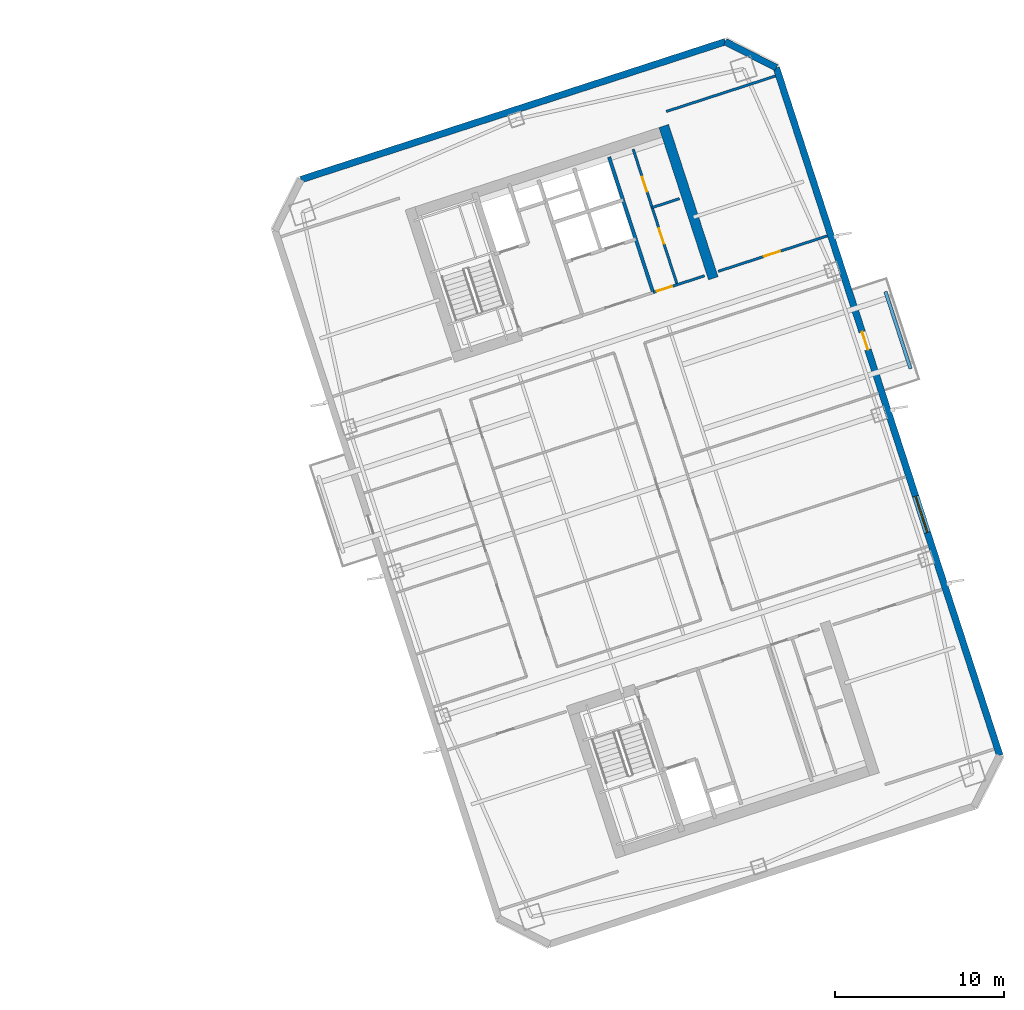
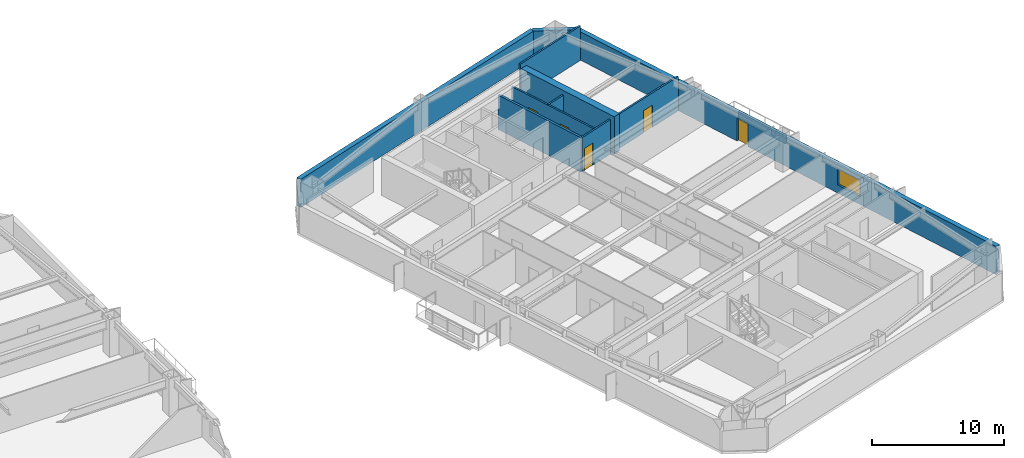
# One storey, part 10 of 17: 11 walls, 5 doors, 1 window, 6 openings.
"""IFC4 building model written with IfcOpenShell, lengths in metres."""

from ifc_helpers import new_model, si_unit, direction, frame, frame_2d, origin, place, context, subcontext, project, spatial, rectangle, extrude, material, layer, layer_set, type_object, element, fill, save


model = new_model("IFC4")

# Units and contexts
model_context = context("Model", 3, precision=1e-05, world=origin(), true_north=direction((0.0, 1.0)))
body_context = subcontext(model_context, "Body", "Model", "MODEL_VIEW")
ifc_project = project(units=[si_unit("LENGTHUNIT", "METRE"), si_unit("AREAUNIT", "SQUARE_METRE"), si_unit("VOLUMEUNIT", "CUBIC_METRE"), si_unit("PLANEANGLEUNIT", "RADIAN"), si_unit("MASSUNIT", "GRAM", prefix="KILO")], contexts=[model_context])

# Site, building, storey
site_placement = place(None, origin())
site = spatial("IfcSite", under=ifc_project, at=site_placement, CompositionType="ELEMENT")
building_placement = place(site_placement, origin())
building = spatial("IfcBuilding", under=site, at=building_placement, Name="Qiaolan Cultural Towers", CompositionType="ELEMENT")
storey_placement = place(building_placement, frame((0.0, 0.0, 142.60009765625)))
storey = spatial("IfcBuildingStorey", under=building, at=storey_placement, Name="L37", CompositionType="ELEMENT", Elevation=142.60009765625)

# Walls
ifc_material_1 = material(Name="Concrete C55", Category="concrete")
ifc_layer_1 = layer(ifc_material_1, 0.60009765625)
ifc_layer_set_1 = layer_set([ifc_layer_1], Name="Concrete C55")
wall_type_1 = type_object("IfcWallType", Name="WL-CORE-600", PredefinedType="SHEAR", material=ifc_layer_set_1)
wall_1_placement = place(storey_placement, frame((94.4921875, 46.710205078125, 0.0), z_axis=(0.0, 0.0, 1.0), x_axis=(-0.309010370028, 0.95105866865, 0.0)))
element("IfcWall", 1, at=wall_1_placement, inside=storey, type_object=wall_type_1, Name="L37 T2-CN East Core Shear Wall", PredefinedType="SHEAR", context=body_context, shape_type="SweptSolid", body=[
    extrude(rectangle(XDim=9.47998046875, YDim=0.60009765625, at=frame_2d((4.739990234375, 0.0))), origin(), (0.0, 0.0, 1.0), 3.449951171875),
])
ifc_material_2 = material(Name="Precast Concrete C50 Honed Stone Pier", Category="masonry")
ifc_layer_2 = layer(ifc_material_2, 0.39990234375)
ifc_layer_set_2 = layer_set([ifc_layer_2], Name="Precast Concrete C50 Honed Stone Pier")
wall_type_2 = type_object("IfcWallType", Name="WL-EXT-PIER-400", PredefinedType="SOLIDWALL", material=ifc_layer_set_2)
wall_2_placement = place(storey_placement, frame((70.091552734375, 52.55615234375, 0.0), z_axis=(0.0, 0.0, 1.0), x_axis=(0.951057580055, 0.30901372044, 0.0)))
element("IfcWall", 2, at=wall_2_placement, inside=storey, type_object=wall_type_2, Name="L37 East Tower Precast Pier Facade Wall F3", PredefinedType="SOLIDWALL", context=body_context, shape_type="SweptSolid", body=[
    extrude(rectangle(XDim=26.39990234375, YDim=0.39990234375, at=frame_2d((13.199951171875, 0.0))), origin(), (0.0, 0.0, 1.0), 2.60986328125),
])
wall_3_placement = place(storey_placement, frame((95.199462890625, 60.714111328125, 0.0), z_axis=(0.0, 0.0, 1.0), x_axis=(0.891020832027, -0.453962417932, 0.0)))
element("IfcWall", 3, at=wall_3_placement, inside=storey, type_object=wall_type_2, Name="L37 East Tower Precast Pier Facade Wall F4", PredefinedType="SOLIDWALL", context=body_context, shape_type="SweptSolid", body=[
    extrude(rectangle(XDim=3.39404296875, YDim=0.39990234375, at=frame_2d((1.697021484375, 0.0))), origin(), (0.0, 0.0, 1.0), 2.60986328125),
])

# Wall, openings, door, window
wall_4_placement = place(storey_placement, frame((98.2236328125, 59.17333984375, 0.0), z_axis=(0.0, 0.0, 1.0), x_axis=(0.309014228706, -0.951057414911, 0.0)))
wall_4 = element("IfcWall", 4, at=wall_4_placement, inside=storey, type_object=wall_type_2, Name="L37 East Tower Precast Pier Facade Wall F5", PredefinedType="SOLIDWALL", context=body_context, shape_type="SweptSolid", body=[
    extrude(rectangle(XDim=42.800048828125, YDim=0.39990234375, at=frame_2d((21.39990234375, 0.0))), origin(), (0.0, 0.0, 1.0), 2.60986328125),
])
opening_1_placement = place(wall_4_placement, frame((26.675048828125, 0.0, 0.75)))
opening_1 = element("IfcOpeningElement", 5, at=opening_1_placement, cuts=wall_4, Name="Opening W-03", PredefinedType="OPENING", context=body_context, shape_type="SweptSolid", body=[
    extrude(rectangle(XDim=2.25, YDim=1.4599609375, at=frame_2d((1.125, 0.72998046875))), frame((0.0, 0.2099609375, 0.0), z_axis=(0.0, -1.0, 0.0), x_axis=(1.0, 0.0, 0.0)), (0.0, 0.0, 1.0), 0.419921875),
])
opening_2_placement = place(wall_4_placement, frame((16.449951171875, 0.0, 0.0)))
opening_2 = element("IfcOpeningElement", 6, at=opening_2_placement, cuts=wall_4, Name="Opening BD-01", PredefinedType="OPENING", context=body_context, shape_type="SweptSolid", body=[
    extrude(rectangle(XDim=1.10009765625, YDim=2.14990234375, at=frame_2d((0.550048828125, 1.074951171875))), frame((0.0, 0.2099609375, 0.0), z_axis=(0.0, -1.0, 0.0), x_axis=(1.0, 0.0, 0.0)), (0.0, 0.0, 1.0), 0.419921875),
])
ifc_material_3 = material(Name="Thermally Broken Aluminium Glazed Terrace Door", Category="aluminium")
door_type_1 = type_object("IfcDoorType", Name="DR-BAL-1100", OperationType="NOTDEFINED", PredefinedType="DOOR", material=ifc_material_3)
door_1_placement = place(opening_2_placement, origin())
door_1 = element("IfcDoor", 7, at=door_1_placement, inside=storey, type_object=door_type_1, Name="L37 T2 East Tree Balcony Door", OperationType="SINGLE_SWING_RIGHT", OverallHeight=2.14990234375, OverallWidth=1.10009765625, PredefinedType="DOOR", context=body_context, shape_type="SweptSolid", body=[
    extrude(rectangle(XDim=1.10009765625, YDim=2.14990234375, at=frame_2d((0.550048828125, 1.074951171875))), frame((0.0, 0.02490234375, 0.0), z_axis=(0.0, -1.0, 0.0), x_axis=(1.0, 0.0, 0.0)), (0.0, 0.0, 1.0), 0.050048828125),
])
fill(opening_2, door_1)
ifc_material_4 = material(Name="Thermally Broken Aluminium Triple Low-E Glazing", Category="aluminium")
window_type = type_object("IfcWindowType", Name="WN-CHIC-2250", PartitioningType="SINGLE_PANEL", PredefinedType="WINDOW", material=ifc_material_4)
window_placement = place(opening_1_placement, origin())
window = element("IfcWindow", 8, at=window_placement, inside=storey, type_object=window_type, Name="L37 T2 E Chicago Bay Window 1", OverallHeight=1.4599609375, OverallWidth=2.25, PartitioningType="TRIPLE_PANEL_VERTICAL", PredefinedType="WINDOW", context=body_context, shape_type="SweptSolid", body=[
    extrude(rectangle(XDim=2.25, YDim=1.4599609375, at=frame_2d((1.125, 0.72998046875))), frame((0.0, 0.030029296875, 0.0), z_axis=(0.0, -1.0, 0.0), x_axis=(1.0, 0.0, 0.0)), (0.0, 0.0, 1.0), 0.06005859375),
])
fill(opening_1, window)

# Wall
ifc_material_5 = material(Name="Concrete C35 Fire Wall", Category="concrete")
ifc_layer_3 = layer(ifc_material_5, 0.199951171875)
ifc_layer_set_3 = layer_set([ifc_layer_3], Name="Concrete C35 Fire Wall")
wall_type_3 = type_object("IfcWallType", Name="WL-FIRE-200", PredefinedType="PARTITIONING", material=ifc_layer_set_3)
wall_5_placement = place(storey_placement, frame((90.92822265625, 45.86767578125, 0.0), z_axis=(0.0, 0.0, 1.0), x_axis=(-0.309042196757, 0.951048327176, 0.0)))
element("IfcWall", 9, at=wall_5_placement, inside=storey, type_object=wall_type_3, Name="L37 T2-CN Lift Core East Wall", PredefinedType="PARTITIONING", context=body_context, shape_type="SweptSolid", body=[
    extrude(rectangle(XDim=8.429931640625, YDim=0.199951171875, at=frame_2d((4.21484375, 0.0))), origin(), (0.0, 0.0, 1.0), 3.1748046875),
])

# Wall, opening, door
ifc_material_6 = material(Name="Autoclaved Aerated Concrete Block B06", Category="concrete")
ifc_layer_4 = layer(ifc_material_6, 0.14990234375)
ifc_layer_set_4 = layer_set([ifc_layer_4], Name="Autoclaved Aerated Concrete Block B06")
wall_type_4 = type_object("IfcWallType", Name="WL-PART-150", PredefinedType="PARTITIONING", material=ifc_layer_set_4)
wall_6_placement = place(storey_placement, frame((90.92822265625, 45.86767578125, 0.0), z_axis=(0.0, 0.0, 1.0), x_axis=(0.951059297078, 0.309008435874, 0.0)))
wall_6 = element("IfcWall", 10, at=wall_6_placement, inside=storey, type_object=wall_type_4, Name="L37 T2-CN Sanitary Core Front Wall", PredefinedType="PARTITIONING", context=body_context, shape_type="SweptSolid", body=[
    extrude(rectangle(XDim=3.19970703125, YDim=0.14990234375, at=frame_2d((1.599853515625, 0.0))), origin(), (0.0, 0.0, 1.0), 3.1748046875),
])
opening_3_placement = place(wall_6_placement, frame((0.219970703125, 0.0, 0.0)))
opening_3 = element("IfcOpeningElement", 11, at=opening_3_placement, cuts=wall_6, Name="Opening ID-05", PredefinedType="OPENING", context=body_context, shape_type="SweptSolid", body=[
    extrude(rectangle(XDim=0.949951171875, YDim=2.050048828125, at=frame_2d((0.47509765625, 1.02490234375))), frame((0.0, 0.0849609375, 0.0), z_axis=(0.0, -1.0, 0.0), x_axis=(1.0, 0.0, 0.0)), (0.0, 0.0, 1.0), 0.169921875),
])
ifc_material_7 = material(Name="Fire-Rated Laminate Accessible Core Door", Category="timber")
door_type_2 = type_object("IfcDoorType", Name="DR-INT-950", OperationType="NOTDEFINED", PredefinedType="DOOR", material=ifc_material_7)
door_2_placement = place(opening_3_placement, origin())
door_2 = element("IfcDoor", 12, at=door_2_placement, inside=storey, type_object=door_type_2, Name="L37 Sanitary Lobby Door", OperationType="SINGLE_SWING_LEFT", OverallHeight=2.050048828125, OverallWidth=0.949951171875, PredefinedType="DOOR", context=body_context, shape_type="SweptSolid", body=[
    extrude(rectangle(XDim=0.949951171875, YDim=2.050048828125, at=frame_2d((0.47509765625, 1.02490234375))), frame((0.0, 0.02490234375, 0.0), z_axis=(0.0, -1.0, 0.0), x_axis=(1.0, 0.0, 0.0)), (0.0, 0.0, 1.0), 0.050048828125),
])
fill(opening_3, door_2)

# Wall, openings, doors
wall_7_placement = place(storey_placement, frame((92.354736328125, 46.3310546875, 0.0), z_axis=(0.0, 0.0, 1.0), x_axis=(-0.309007490203, 0.951059604335, 0.0)))
wall_7 = element("IfcWall", 13, at=wall_7_placement, inside=storey, type_object=wall_type_4, Name="L37 T2-CN Washroom Split Wall", PredefinedType="PARTITIONING", context=body_context, shape_type="SweptSolid", body=[
    extrude(rectangle(XDim=8.43017578125, YDim=0.14990234375, at=frame_2d((4.215087890625, 0.0))), origin(), (0.0, 0.0, 1.0), 3.1748046875),
])
opening_4_placement = place(wall_7_placement, frame((2.550048828125, 0.0, 0.0)))
opening_4 = element("IfcOpeningElement", 14, at=opening_4_placement, cuts=wall_7, Name="Opening ID-05", PredefinedType="OPENING", context=body_context, shape_type="SweptSolid", body=[
    extrude(rectangle(XDim=0.949951171875, YDim=2.050048828125, at=frame_2d((0.47509765625, 1.02490234375))), frame((0.0, 0.0849609375, 0.0), z_axis=(0.0, -1.0, 0.0), x_axis=(1.0, 0.0, 0.0)), (0.0, 0.0, 1.0), 0.169921875),
])
opening_5_placement = place(wall_7_placement, frame((5.800048828125, 0.0, 0.0)))
opening_5 = element("IfcOpeningElement", 15, at=opening_5_placement, cuts=wall_7, Name="Opening ID-06", PredefinedType="OPENING", context=body_context, shape_type="SweptSolid", body=[
    extrude(rectangle(XDim=0.89990234375, YDim=2.050048828125, at=frame_2d((0.449951171875, 1.02490234375))), frame((0.0, 0.0849609375, 0.0), z_axis=(0.0, -1.0, 0.0), x_axis=(1.0, 0.0, 0.0)), (0.0, 0.0, 1.0), 0.169921875),
])
ifc_material_8 = material(Name="Fire-Rated Laminate Core Service Door", Category="timber")
door_type_3 = type_object("IfcDoorType", Name="DR-INT-900", OperationType="NOTDEFINED", PredefinedType="DOOR", material=ifc_material_8)
door_3_placement = place(opening_5_placement, origin())
door_3 = element("IfcDoor", 16, at=door_3_placement, inside=storey, type_object=door_type_3, Name="L37 First-Aid Room Door", OperationType="SINGLE_SWING_RIGHT", OverallHeight=2.050048828125, OverallWidth=0.89990234375, PredefinedType="DOOR", context=body_context, shape_type="SweptSolid", body=[
    extrude(rectangle(XDim=0.89990234375, YDim=2.050048828125, at=frame_2d((0.449951171875, 1.02490234375))), frame((0.0, 0.02490234375, 0.0), z_axis=(0.0, -1.0, 0.0), x_axis=(1.0, 0.0, 0.0)), (0.0, 0.0, 1.0), 0.050048828125),
])
fill(opening_5, door_3)
door_4_placement = place(opening_4_placement, origin())
door_4 = element("IfcDoor", 17, at=door_4_placement, inside=storey, type_object=door_type_2, Name="L37 Accessible Washroom Door", OperationType="SINGLE_SWING_LEFT", OverallHeight=2.050048828125, OverallWidth=0.949951171875, PredefinedType="DOOR", context=body_context, shape_type="SweptSolid", body=[
    extrude(rectangle(XDim=0.949951171875, YDim=2.050048828125, at=frame_2d((0.47509765625, 1.02490234375))), frame((0.0, 0.02490234375, 0.0), z_axis=(0.0, -1.0, 0.0), x_axis=(1.0, 0.0, 0.0)), (0.0, 0.0, 1.0), 0.050048828125),
])
fill(opening_4, door_4)

# Walls
wall_8_placement = place(storey_placement, frame((90.871337890625, 50.896240234375, 0.0), z_axis=(0.0, 0.0, 1.0), x_axis=(0.951054116971, 0.309024378638, 0.0)))
element("IfcWall", 18, at=wall_8_placement, inside=storey, type_object=wall_type_4, Name="L37 T2-CN First-Aid Wall", PredefinedType="PARTITIONING", context=body_context, shape_type="SweptSolid", body=[
    extrude(rectangle(XDim=1.7001953125, YDim=0.14990234375, at=frame_2d((0.85009765625, 0.0))), origin(), (0.0, 0.0, 1.0), 3.1748046875),
])
wall_9_placement = place(storey_placement, frame((91.705078125, 56.582275390625, 0.0), z_axis=(0.0, 0.0, 1.0), x_axis=(0.951057811516, 0.309013008068, 0.0)))
element("IfcWall", 19, at=wall_9_placement, inside=storey, type_object=wall_type_4, Name="L37 T2 Flank Wall FLK-NE", PredefinedType="PARTITIONING", context=body_context, shape_type="SweptSolid", body=[
    extrude(rectangle(XDim=6.800048828125, YDim=0.14990234375, at=frame_2d((3.39990234375, 0.0))), origin(), (0.0, 0.0, 1.0), 3.1748046875),
])

# Wall, opening, door
wall_10_placement = place(storey_placement, frame((94.77978515625, 47.119140625, 0.0), z_axis=(0.0, 0.0, 1.0), x_axis=(0.951057811516, 0.309013008068, 0.0)))
wall_10 = element("IfcWall", 20, at=wall_10_placement, inside=storey, type_object=wall_type_4, Name="L37 T2 Flank Front FLK-NE", PredefinedType="PARTITIONING", context=body_context, shape_type="SweptSolid", body=[
    extrude(rectangle(XDim=6.800048828125, YDim=0.14990234375, at=frame_2d((3.39990234375, 0.0))), origin(), (0.0, 0.0, 1.0), 3.1748046875),
])
opening_6_placement = place(wall_10_placement, frame((2.85595703125, 0.0, 0.0)))
opening_6 = element("IfcOpeningElement", 21, at=opening_6_placement, cuts=wall_10, Name="Opening ID-04", PredefinedType="OPENING", context=body_context, shape_type="SweptSolid", body=[
    extrude(rectangle(XDim=1.0, YDim=2.050048828125, at=frame_2d((0.5, 1.02490234375))), frame((0.0, 0.0849609375, 0.0), z_axis=(0.0, -1.0, 0.0), x_axis=(1.0, 0.0, 0.0)), (0.0, 0.0, 1.0), 0.169921875),
])
ifc_material_9 = material(Name="Oak Veneer Acoustic Office Door", Category="timber")
door_type_4 = type_object("IfcDoorType", Name="DR-INT-1000", OperationType="NOTDEFINED", PredefinedType="DOOR", material=ifc_material_9)
door_5_placement = place(opening_6_placement, origin())
door_5 = element("IfcDoor", 22, at=door_5_placement, inside=storey, type_object=door_type_4, Name="L37 T2 Corner Studio Door", OperationType="SINGLE_SWING_LEFT", OverallHeight=2.050048828125, OverallWidth=1.0, PredefinedType="DOOR", context=body_context, shape_type="SweptSolid", body=[
    extrude(rectangle(XDim=1.0, YDim=2.050048828125, at=frame_2d((0.5, 1.02490234375))), frame((0.0, 0.02490234375, 0.0), z_axis=(0.0, -1.0, 0.0), x_axis=(1.0, 0.0, 0.0)), (0.0, 0.0, 1.0), 0.050048828125),
])
fill(opening_6, door_5)

# Wall
ifc_material_10 = material(Name="Precast Concrete C45 Tree Planter Upstand", Category="concrete")
ifc_layer_5 = layer(ifc_material_10, 0.199951171875)
ifc_layer_set_5 = layer_set([ifc_layer_5], Name="Precast Concrete C45 Tree Planter Upstand")
wall_type_5 = type_object("IfcWallType", Name="WL-PLANTER-200", PredefinedType="PARAPET", material=ifc_layer_set_5)
wall_11_placement = place(storey_placement, frame((106.168212890625, 41.356201171875, 0.0), z_axis=(0.0, 0.0, 1.0), x_axis=(-0.309032019345, 0.951051634255, 0.0)))
element("IfcWall", 23, at=wall_11_placement, inside=storey, type_object=wall_type_5, Name="L37 T2 Tree Balcony Soil Planter Box E", PredefinedType="PARAPET", context=body_context, shape_type="SweptSolid", body=[
    extrude(rectangle(XDim=4.800048828125, YDim=0.199951171875, at=frame_2d((2.39990234375, 0.0))), origin(), (0.0, 0.0, 1.0), 0.75),
])

save(model, "model.ifc")
